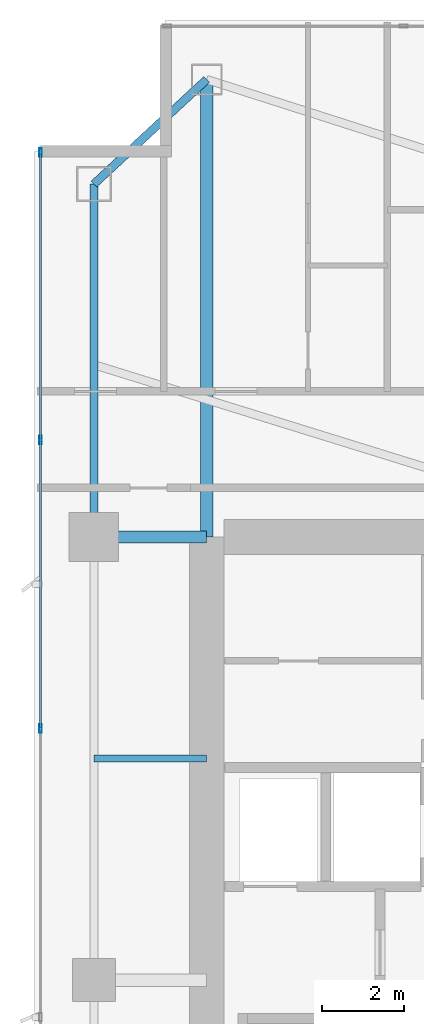
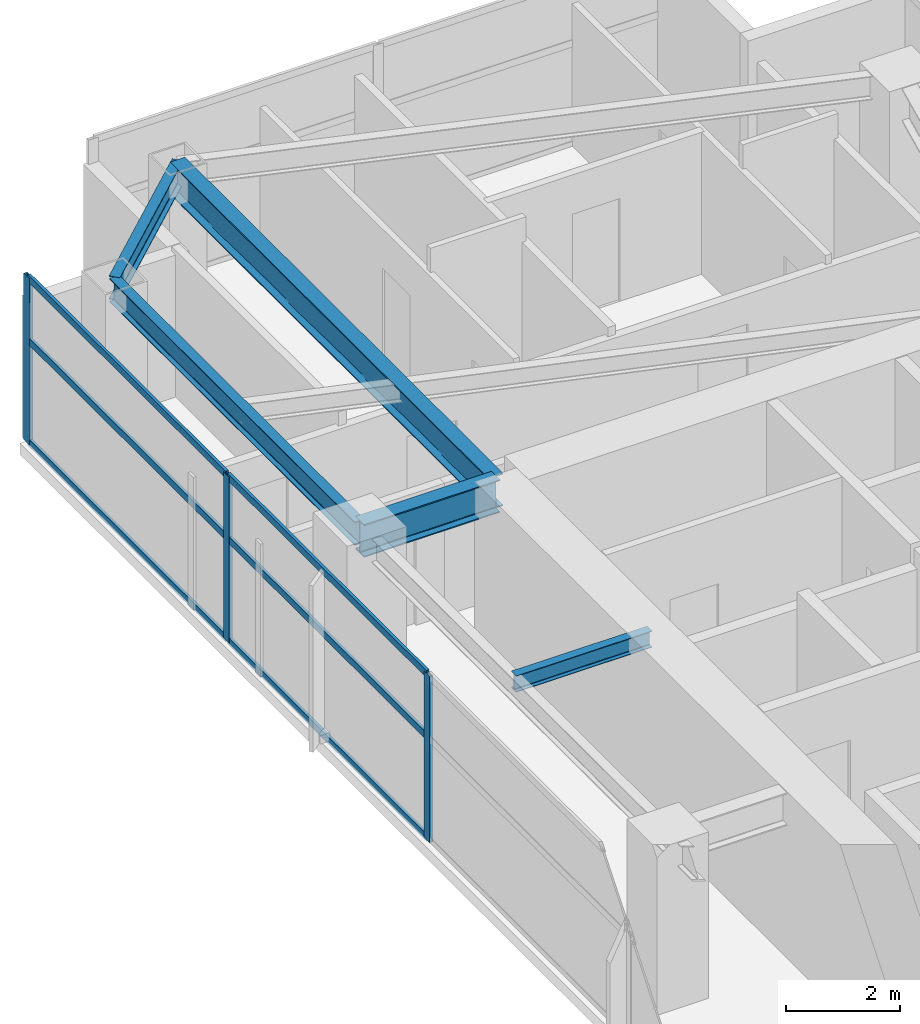
# One storey, part 16 of 28: 9 members, 5 beams, 1 element without a shape of its own.
"""IFC4 building model written with IfcOpenShell, lengths in metres."""

from ifc_helpers import new_model, si_unit, direction, frame, origin, origin_2d, place, context, subcontext, project, spatial, hollow_rectangle, i_section, extrude, material, layer, layer_set, material_profile, profile_set, type_object, element, aggregate, save


model = new_model("IFC4")

# Units and contexts
model_context = context("Model", 3, precision=1e-05, world=origin(), true_north=direction((0.0, 1.0)))
body_context = subcontext(model_context, "Body", "Model", "MODEL_VIEW")
ifc_project = project(units=[si_unit("LENGTHUNIT", "METRE"), si_unit("AREAUNIT", "SQUARE_METRE"), si_unit("VOLUMEUNIT", "CUBIC_METRE"), si_unit("PLANEANGLEUNIT", "RADIAN"), si_unit("MASSUNIT", "GRAM", prefix="KILO")], contexts=[model_context])

# Site, building, storey
site_placement = place(None, origin())
site = spatial("IfcSite", under=ifc_project, at=site_placement, CompositionType="ELEMENT")
building_placement = place(site_placement, origin())
building = spatial("IfcBuilding", under=site, at=building_placement, Name="Calvorn Quay Hotel", CompositionType="ELEMENT")
storey_placement = place(building_placement, frame((0.0, 0.0, 131.60009765625)))
storey = spatial("IfcBuildingStorey", under=building, at=storey_placement, Name="L32", CompositionType="ELEMENT", Elevation=131.60009765625)

# Beams
ifc_material_1 = material(Name="Steel Q390GJC", Category="steel")
ifc_material_profile_1 = material_profile(ifc_material_1, i_section(OverallWidth=0.300048828125, OverallDepth=0.699951171875, WebThickness=0.012939453125, FlangeThickness=0.02392578125, FilletRadius=0.02392578125, at=origin_2d()), Name="HN700x300x13x24")
ifc_profile_set_1 = profile_set([ifc_material_profile_1], Name="Steel Q390GJC")
beam_type_1 = type_object("IfcBeamType", Name="BM-GIRD-MAIN", PredefinedType="BEAM", material=ifc_profile_set_1)
beam_1_placement = place(storey_placement, frame((1.449951171875, 38.39990234375, 3.18994140625), z_axis=(1.0, 0.0, 0.0), x_axis=(0.0, 1.0, 0.0)))
element("IfcBeam", 1, at=beam_1_placement, inside=storey, type_object=beam_type_1, Name="Beam BG-L32-W3", PredefinedType="BEAM", context=body_context, shape_type="SweptSolid", body=[
    extrude(i_section(OverallWidth=0.300048828125, OverallDepth=0.699951171875, WebThickness=0.012939453125, FlangeThickness=0.02392578125, FilletRadius=0.02392578125, at=origin_2d()), origin(), (0.0, 0.0, 1.0), 2.75),
])
beam_2_placement = place(storey_placement, frame((4.199951171875, 49.550048828125, 3.18994140625), z_axis=(0.0, -1.0, 0.0), x_axis=(1.0, 0.0, 0.0)))
element("IfcBeam", 2, at=beam_2_placement, inside=storey, type_object=beam_type_1, Name="Beam BG-L32-W5", PredefinedType="BEAM", context=body_context, shape_type="SweptSolid", body=[
    extrude(i_section(OverallWidth=0.300048828125, OverallDepth=0.699951171875, WebThickness=0.012939453125, FlangeThickness=0.02392578125, FilletRadius=0.02392578125, at=origin_2d()), origin(), (0.0, 0.0, 1.0), 11.150146484375),
])
ifc_material_2 = material(Name="Steel Q355B", Category="steel")
ifc_material_profile_2 = material_profile(ifc_material_2, i_section(OverallWidth=0.175048828125, OverallDepth=0.35009765625, WebThickness=0.007080078125, FlangeThickness=0.010986328125, FilletRadius=0.013916015625, at=origin_2d()), Name="HN350x175x7x11")
ifc_profile_set_2 = profile_set([ifc_material_profile_2], Name="Steel Q355B")
beam_type_2 = type_object("IfcBeamType", Name="BM-JOIST-SEC", PredefinedType="JOIST", material=ifc_profile_set_2)
beam_3_placement = place(storey_placement, frame((1.449951171875, 33.0, 3.364990234375), z_axis=(1.0, 0.0, 0.0), x_axis=(0.0, 1.0, 0.0)))
element("IfcBeam", 3, at=beam_3_placement, inside=storey, type_object=beam_type_2, Name="Beam BJ-L32-W4", PredefinedType="JOIST", context=body_context, shape_type="SweptSolid", body=[
    extrude(i_section(OverallWidth=0.175048828125, OverallDepth=0.35009765625, WebThickness=0.007080078125, FlangeThickness=0.010986328125, FilletRadius=0.013916015625, at=origin_2d()), origin(), (0.0, 0.0, 1.0), 2.75),
])
ifc_material_3 = material(Name="Steel Q355B", Category="steel")
ifc_material_profile_3 = material_profile(ifc_material_3, i_section(OverallWidth=0.199951171875, OverallDepth=0.5, WebThickness=0.010009765625, FlangeThickness=0.01611328125, FilletRadius=0.01611328125, at=origin_2d()), Name="HN500x200x10x16")
ifc_profile_set_3 = profile_set([ifc_material_profile_3], Name="Steel Q355B")
beam_type_3 = type_object("IfcBeamType", Name="BM-SPANDREL-Z1", PredefinedType="SPANDREL", material=ifc_profile_set_3)
beam_4_placement = place(storey_placement, frame((1.449951171875, 38.39990234375, 3.289794921875), z_axis=(0.0, 1.0, 0.0), x_axis=(-1.0, 0.0, 0.0)))
element("IfcBeam", 4, at=beam_4_placement, inside=storey, type_object=beam_type_3, Name="Beam BSP-L32-W4", PredefinedType="SPANDREL", context=body_context, shape_type="SweptSolid", body=[
    extrude(i_section(OverallWidth=0.199951171875, OverallDepth=0.5, WebThickness=0.010009765625, FlangeThickness=0.01611328125, FilletRadius=0.01611328125, at=origin_2d()), origin(), (0.0, 0.0, 1.0), 8.60009765625),
])
beam_5_placement = place(storey_placement, frame((1.449951171875, 47.0, 3.289794921875), z_axis=(0.733261665538, 0.679946563969, 0.0), x_axis=(-0.679946563969, 0.733261665538, 0.0)))
element("IfcBeam", 5, at=beam_5_placement, inside=storey, type_object=beam_type_3, Name="Beam BSP-L32-W5", PredefinedType="SPANDREL", context=body_context, shape_type="SweptSolid", body=[
    extrude(i_section(OverallWidth=0.199951171875, OverallDepth=0.5, WebThickness=0.010009765625, FlangeThickness=0.01611328125, FilletRadius=0.01611328125, at=origin_2d()), origin(), (0.0, 0.0, 1.0), 3.75048828125),
])

# Curtain wall, members
ifc_material_4 = material(Name="Pale Anodised Aluminium and Low-E Glass", Category="aluminium")
ifc_layer = layer(ifc_material_4, 0.219970703125)
ifc_layer_set = layer_set([ifc_layer], Name="CW-SYS-Z2")
curtain_wall_type = type_object("IfcCurtainWallType", Name="CW-SYS-Z2", PredefinedType="NOTDEFINED", material=ifc_layer_set)
curtain_wall_placement = place(storey_placement, origin())
curtain_wall = element("IfcCurtainWall", 6, at=curtain_wall_placement, inside=storey, type_object=curtain_wall_type, Name="Tower West Curtain Wall (L32)", PredefinedType="NOTDEFINED")
ifc_material_5 = material(Name="Pale Anodised Aluminium 6063-T6", Category="aluminium")
ifc_material_profile_4 = material_profile(ifc_material_5, hollow_rectangle(XDim=0.070068359375, YDim=0.199951171875, WallThickness=0.00390625, at=origin_2d()), Name="ALU-M200x70x4")
ifc_profile_set_4 = profile_set([ifc_material_profile_4], Name="Pale Anodised Aluminium 6063-T6")
member_type_1 = type_object("IfcMemberType", Name="CW-SYS-Z2-MUL", PredefinedType="MULLION", material=ifc_profile_set_4)
member_1_placement = place(storey_placement, frame((0.14990234375, 33.7333984375, 0.0), z_axis=(0.0, 0.0, 1.0), x_axis=(-1.0, 0.0, 0.0)))
member_1 = element("IfcMember", 7, at=member_1_placement, type_object=member_type_1, Name="CW-L32-W mullion 5", PredefinedType="MULLION", context=body_context, shape_type="SweptSolid", body=[
    extrude(hollow_rectangle(XDim=0.070068359375, YDim=0.199951171875, WallThickness=0.00390625, at=origin_2d()), origin(), (0.0, 0.0, 1.0), 3.559814453125),
])
member_2_placement = place(storey_placement, frame((0.14990234375, 40.7666015625, 0.0), z_axis=(0.0, 0.0, 1.0), x_axis=(-1.0, 0.0, 0.0)))
member_2 = element("IfcMember", 8, at=member_2_placement, type_object=member_type_1, Name="CW-L32-W mullion 6", PredefinedType="MULLION", context=body_context, shape_type="SweptSolid", body=[
    extrude(hollow_rectangle(XDim=0.070068359375, YDim=0.199951171875, WallThickness=0.00390625, at=origin_2d()), origin(), (0.0, 0.0, 1.0), 3.559814453125),
])
member_3_placement = place(storey_placement, frame((0.14990234375, 47.77001953125, 0.0), z_axis=(0.0, 0.0, 1.0), x_axis=(-1.0, 0.0, 0.0)))
member_3 = element("IfcMember", 9, at=member_3_placement, type_object=member_type_1, Name="CW-L32-W mullion 7", PredefinedType="MULLION", context=body_context, shape_type="SweptSolid", body=[
    extrude(hollow_rectangle(XDim=0.070068359375, YDim=0.199951171875, WallThickness=0.00390625, at=origin_2d()), origin(), (0.0, 0.0, 1.0), 3.559814453125),
])
ifc_material_6 = material(Name="Pale Anodised Aluminium 6063-T6", Category="aluminium")
ifc_material_profile_5 = material_profile(ifc_material_6, hollow_rectangle(XDim=0.06005859375, YDim=0.14990234375, WallThickness=0.00341796875, at=origin_2d()), Name="ALU-T150x60x3.5")
ifc_profile_set_5 = profile_set([ifc_material_profile_5], Name="Pale Anodised Aluminium 6063-T6")
member_type_2 = type_object("IfcMemberType", Name="CW-SYS-Z2-TRN", PredefinedType="USERDEFINED", material=ifc_profile_set_5)
member_4_placement = place(storey_placement, frame((0.14990234375, 33.763427734375, 0.02978515625), z_axis=(0.0, 1.0, 0.0), x_axis=(-1.0, 0.0, 0.0)))
member_4 = element("IfcMember", 10, at=member_4_placement, type_object=member_type_2, Name="CW-L32-W transom 5.1", ObjectType="TRANSOM", PredefinedType="USERDEFINED", context=body_context, shape_type="SweptSolid", body=[
    extrude(hollow_rectangle(XDim=0.06005859375, YDim=0.14990234375, WallThickness=0.00341796875, at=origin_2d()), origin(), (0.0, 0.0, 1.0), 6.97314453125),
])
member_5_placement = place(storey_placement, frame((0.14990234375, 33.763427734375, 2.199951171875), z_axis=(0.0, 1.0, 0.0), x_axis=(-1.0, 0.0, 0.0)))
member_5 = element("IfcMember", 11, at=member_5_placement, type_object=member_type_2, Name="CW-L32-W transom 5.2", ObjectType="TRANSOM", PredefinedType="USERDEFINED", context=body_context, shape_type="SweptSolid", body=[
    extrude(hollow_rectangle(XDim=0.06005859375, YDim=0.14990234375, WallThickness=0.00341796875, at=origin_2d()), origin(), (0.0, 0.0, 1.0), 6.97314453125),
])
member_6_placement = place(storey_placement, frame((0.14990234375, 33.763427734375, 3.52978515625), z_axis=(0.0, 1.0, 0.0), x_axis=(-1.0, 0.0, 0.0)))
member_6 = element("IfcMember", 12, at=member_6_placement, type_object=member_type_2, Name="CW-L32-W transom 5.3", ObjectType="TRANSOM", PredefinedType="USERDEFINED", context=body_context, shape_type="SweptSolid", body=[
    extrude(hollow_rectangle(XDim=0.06005859375, YDim=0.14990234375, WallThickness=0.00341796875, at=origin_2d()), origin(), (0.0, 0.0, 1.0), 6.97314453125),
])
member_7_placement = place(storey_placement, frame((0.14990234375, 40.796630859375, 0.02978515625), z_axis=(0.0, 1.0, 0.0), x_axis=(-1.0, 0.0, 0.0)))
member_7 = element("IfcMember", 13, at=member_7_placement, type_object=member_type_2, Name="CW-L32-W transom 6.1", ObjectType="TRANSOM", PredefinedType="USERDEFINED", context=body_context, shape_type="SweptSolid", body=[
    extrude(hollow_rectangle(XDim=0.06005859375, YDim=0.14990234375, WallThickness=0.00341796875, at=origin_2d()), origin(), (0.0, 0.0, 1.0), 6.943359375),
])
member_8_placement = place(storey_placement, frame((0.14990234375, 40.796630859375, 2.199951171875), z_axis=(0.0, 1.0, 0.0), x_axis=(-1.0, 0.0, 0.0)))
member_8 = element("IfcMember", 14, at=member_8_placement, type_object=member_type_2, Name="CW-L32-W transom 6.2", ObjectType="TRANSOM", PredefinedType="USERDEFINED", context=body_context, shape_type="SweptSolid", body=[
    extrude(hollow_rectangle(XDim=0.06005859375, YDim=0.14990234375, WallThickness=0.00341796875, at=origin_2d()), origin(), (0.0, 0.0, 1.0), 6.943359375),
])
member_9_placement = place(storey_placement, frame((0.14990234375, 40.796630859375, 3.52978515625), z_axis=(0.0, 1.0, 0.0), x_axis=(-1.0, 0.0, 0.0)))
member_9 = element("IfcMember", 15, at=member_9_placement, type_object=member_type_2, Name="CW-L32-W transom 6.3", ObjectType="TRANSOM", PredefinedType="USERDEFINED", context=body_context, shape_type="SweptSolid", body=[
    extrude(hollow_rectangle(XDim=0.06005859375, YDim=0.14990234375, WallThickness=0.00341796875, at=origin_2d()), origin(), (0.0, 0.0, 1.0), 6.943359375),
])
aggregate(curtain_wall, [member_1, member_2, member_3, member_4, member_5, member_6, member_7, member_8, member_9])

save(model, "model.ifc")
